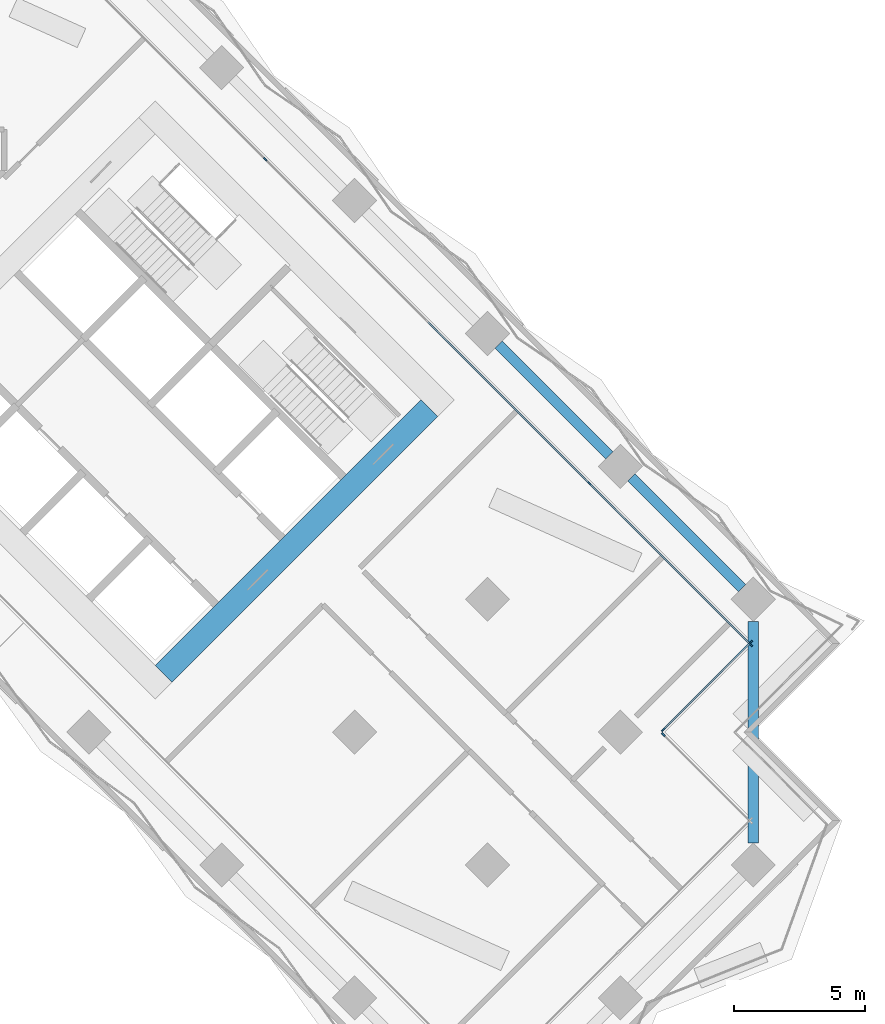
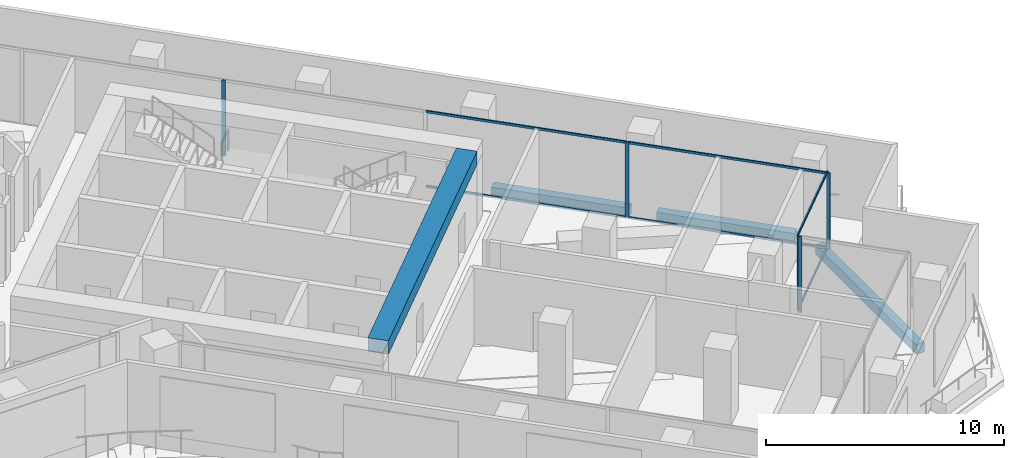
# One storey, part 10 of 24: 12 members, 4 beams, 3 elements without a shape of their own.
"""IFC4 building model written with IfcOpenShell, lengths in metres."""

from ifc_helpers import new_model, si_unit, direction, frame, origin, origin_2d, place, context, subcontext, project, spatial, rectangle, extrude, material, material_profile, profile_set, type_object, element, aggregate, save


model = new_model("IFC4")

# Units and contexts
model_context = context("Model", 3, precision=1e-05, world=origin(), true_north=direction((0.0, 1.0)))
body_context = subcontext(model_context, "Body", "Model", "MODEL_VIEW")
ifc_project = project(units=[si_unit("LENGTHUNIT", "METRE"), si_unit("AREAUNIT", "SQUARE_METRE"), si_unit("VOLUMEUNIT", "CUBIC_METRE"), si_unit("PLANEANGLEUNIT", "RADIAN"), si_unit("MASSUNIT", "GRAM", prefix="KILO")], contexts=[model_context])

# Site, building, storey
site_placement = place(None, origin())
site = spatial("IfcSite", under=ifc_project, at=site_placement, CompositionType="ELEMENT")
building_placement = place(site_placement, origin())
building = spatial("IfcBuilding", under=site, at=building_placement, Name="Windrow Commons", CompositionType="ELEMENT")
storey_placement = place(building_placement, frame((0.0, 0.0, 67.8)))
storey = spatial("IfcBuildingStorey", under=building, at=storey_placement, Name="L18", CompositionType="ELEMENT", Elevation=67.8)

# Curtain wall, member
ifc_material_1 = material(Name="Clear laminated glass in Aluminium 6063-T6 anodised frame", Category="aluminium")
curtain_wall_type = type_object("IfcCurtainWallType", Name="Curtain wall CW2 sky lounge", PredefinedType="USERDEFINED", material=ifc_material_1)
placement = place(storey_placement, origin())
curtain_wall_1 = element("IfcCurtainWall", 1, at=placement, inside=storey, type_object=curtain_wall_type, Name="Curtain wall CW2 L18 1", ObjectType="UNITISED", PredefinedType="USERDEFINED")
ifc_material_2 = material(Name="Aluminium 6063-T6", Category="aluminium")
ifc_material_profile_1 = material_profile(ifc_material_2, rectangle(XDim=0.06, YDim=0.16, at=origin_2d()))
ifc_profile_set_1 = profile_set([ifc_material_profile_1], Name="Aluminium 6063-T6")
member_type_1 = type_object("IfcMemberType", Name="CW2 mullion 60x160", PredefinedType="MULLION", material=ifc_profile_set_1)
member_1_placement = place(storey_placement, frame((106.3034, 36.2699, 0.0), z_axis=(0.0, 0.0, 1.0), x_axis=(-0.7071067812, -0.7071067812, 0.0)))
member_1 = element("IfcMember", 2, at=member_1_placement, type_object=member_type_1, Name="CW2 mullion 2", PredefinedType="MULLION", context=body_context, shape_type="SweptSolid", body=[
    extrude(rectangle(XDim=0.06, YDim=0.16, at=origin_2d()), origin(), (0.0, 0.0, 1.0), 3.9),
])
aggregate(curtain_wall_1, [member_1])

# Curtain wall, members
curtain_wall_2 = element("IfcCurtainWall", 3, at=placement, inside=storey, type_object=curtain_wall_type, Name="Curtain wall CW2 L18 2", ObjectType="UNITISED", PredefinedType="USERDEFINED")
member_2_placement = place(storey_placement, frame((106.3034, 36.4537, 0.0), z_axis=(0.0, 0.0, 1.0), x_axis=(-0.7071067812, 0.7071067812, 0.0)))
member_2 = element("IfcMember", 4, at=member_2_placement, type_object=member_type_1, Name="CW2 mullion 1", PredefinedType="MULLION", context=body_context, shape_type="SweptSolid", body=[
    extrude(rectangle(XDim=0.06, YDim=0.16, at=origin_2d()), origin(), (0.0, 0.0, 1.0), 3.9),
])
member_3_placement = place(storey_placement, frame((109.6551, 39.8054, 0.0), z_axis=(0.0, 0.0, 1.0), x_axis=(-0.7071067812, 0.7071067812, 0.0)))
member_3 = element("IfcMember", 5, at=member_3_placement, type_object=member_type_1, Name="CW2 mullion 2", PredefinedType="MULLION", context=body_context, shape_type="SweptSolid", body=[
    extrude(rectangle(XDim=0.06, YDim=0.16, at=origin_2d()), origin(), (0.0, 0.0, 1.0), 3.9),
])

curtain_wall_3 = element("IfcCurtainWall", 6, at=placement, inside=storey, type_object=curtain_wall_type, Name="Curtain wall CW2 L18 3", ObjectType="UNITISED", PredefinedType="USERDEFINED")
member_4_placement = place(storey_placement, frame((109.6551, 39.7064, 0.0), z_axis=(0.0, 0.0, 1.0), x_axis=(-0.7071067812, -0.7071067812, 0.0)))
member_4 = element("IfcMember", 7, at=member_4_placement, type_object=member_type_1, Name="CW2 mullion 1", PredefinedType="MULLION", context=body_context, shape_type="SweptSolid", body=[
    extrude(rectangle(XDim=0.06, YDim=0.16, at=origin_2d()), origin(), (0.0, 0.0, 1.0), 3.9),
])
member_5_placement = place(storey_placement, frame((103.4675, 45.894, 0.0), z_axis=(0.0, 0.0, 1.0), x_axis=(-0.7071067812, -0.7071067812, 0.0)))
member_5 = element("IfcMember", 8, at=member_5_placement, type_object=member_type_1, Name="CW2 mullion 2", PredefinedType="MULLION", context=body_context, shape_type="SweptSolid", body=[
    extrude(rectangle(XDim=0.06, YDim=0.16, at=origin_2d()), origin(), (0.0, 0.0, 1.0), 3.9),
])
member_6_placement = place(storey_placement, frame((91.0498, 58.3116, 0.0), z_axis=(0.0, 0.0, 1.0), x_axis=(-0.7071067812, -0.7071067812, 0.0)))
member_6 = element("IfcMember", 9, at=member_6_placement, type_object=member_type_1, Name="CW2 mullion 4", PredefinedType="MULLION", context=body_context, shape_type="SweptSolid", body=[
    extrude(rectangle(XDim=0.06, YDim=0.16, at=origin_2d()), origin(), (0.0, 0.0, 1.0), 3.9),
])

# Member
ifc_material_3 = material(Name="Aluminium 6063-T6", Category="aluminium")
ifc_material_profile_2 = material_profile(ifc_material_3, rectangle(XDim=0.06, YDim=0.12, at=origin_2d()))
ifc_profile_set_2 = profile_set([ifc_material_profile_2], Name="Aluminium 6063-T6")
member_type_2 = type_object("IfcMemberType", Name="CW2 transom 60x120", PredefinedType="USERDEFINED", material=ifc_profile_set_2)
member_7_placement = place(storey_placement, frame((106.3246, 36.4749, 0.03), z_axis=(0.7071067812, 0.7071067812, 0.0), x_axis=(-0.7071067812, 0.7071067812, 0.0)))
member_7 = element("IfcMember", 10, at=member_7_placement, type_object=member_type_2, Name="CW2 transom 1.1", ObjectType="TRANSOM", PredefinedType="USERDEFINED", context=body_context, shape_type="SweptSolid", body=[
    extrude(rectangle(XDim=0.06, YDim=0.12, at=origin_2d()), origin(), (0.0, 0.0, 1.0), 4.6801),
])

member_8_placement = place(storey_placement, frame((106.3246, 36.4749, 3.87), z_axis=(0.7071067812, 0.7071067812, 0.0), x_axis=(-0.7071067812, 0.7071067812, 0.0)))
member_8 = element("IfcMember", 11, at=member_8_placement, type_object=member_type_2, Name="CW2 transom 1.2", ObjectType="TRANSOM", PredefinedType="USERDEFINED", context=body_context, shape_type="SweptSolid", body=[
    extrude(rectangle(XDim=0.06, YDim=0.12, at=origin_2d()), origin(), (0.0, 0.0, 1.0), 4.6801),
])

aggregate(curtain_wall_2, [member_2, member_3, member_7, member_8])

member_9_placement = place(storey_placement, frame((109.6339, 39.7276, 0.03), z_axis=(-0.7071067812, 0.7071067812, 0.0), x_axis=(-0.7071067812, -0.7071067812, 0.0)))
member_9 = element("IfcMember", 12, at=member_9_placement, type_object=member_type_2, Name="CW2 transom 1.1", ObjectType="TRANSOM", PredefinedType="USERDEFINED", context=body_context, shape_type="SweptSolid", body=[
    extrude(rectangle(XDim=0.06, YDim=0.12, at=origin_2d()), origin(), (0.0, 0.0, 1.0), 8.6906),
])

member_10_placement = place(storey_placement, frame((109.6339, 39.7276, 3.87), z_axis=(-0.7071067812, 0.7071067812, 0.0), x_axis=(-0.7071067812, -0.7071067812, 0.0)))
member_10 = element("IfcMember", 13, at=member_10_placement, type_object=member_type_2, Name="CW2 transom 1.2", ObjectType="TRANSOM", PredefinedType="USERDEFINED", context=body_context, shape_type="SweptSolid", body=[
    extrude(rectangle(XDim=0.06, YDim=0.12, at=origin_2d()), origin(), (0.0, 0.0, 1.0), 8.6906),
])

member_11_placement = place(storey_placement, frame((103.4463, 45.9152, 0.03), z_axis=(-0.7071067812, 0.7071067812, 0.0), x_axis=(-0.7071067812, -0.7071067812, 0.0)))
member_11 = element("IfcMember", 14, at=member_11_placement, type_object=member_type_2, Name="CW2 transom 2.1", ObjectType="TRANSOM", PredefinedType="USERDEFINED", context=body_context, shape_type="SweptSolid", body=[
    extrude(rectangle(XDim=0.06, YDim=0.12, at=origin_2d()), origin(), (0.0, 0.0, 1.0), 8.7206),
])

member_12_placement = place(storey_placement, frame((103.4463, 45.9152, 3.87), z_axis=(-0.7071067812, 0.7071067812, 0.0), x_axis=(-0.7071067812, -0.7071067812, 0.0)))
member_12 = element("IfcMember", 15, at=member_12_placement, type_object=member_type_2, Name="CW2 transom 2.2", ObjectType="TRANSOM", PredefinedType="USERDEFINED", context=body_context, shape_type="SweptSolid", body=[
    extrude(rectangle(XDim=0.06, YDim=0.12, at=origin_2d()), origin(), (0.0, 0.0, 1.0), 8.7206),
])

aggregate(curtain_wall_3, [member_4, member_5, member_6, member_9, member_10, member_11, member_12])

# Beams
ifc_material_4 = material(Name="Concrete C60/75", Category="concrete")
ifc_material_profile_3 = material_profile(ifc_material_4, rectangle(XDim=0.9, YDim=0.7, at=origin_2d()))
ifc_profile_set_3 = profile_set([ifc_material_profile_3], Name="Concrete C60/75")
beam_type_1 = type_object("IfcBeamType", Name="RC COUPLING BEAM 900x700 C60/75", PredefinedType="LINTEL", material=ifc_profile_set_3)
beam_1_placement = place(storey_placement, frame((87.155, 38.5892, 3.55), z_axis=(0.7071067812, 0.7071067812, 0.0), x_axis=(-0.7071067812, 0.7071067812, 0.0)))
element("IfcBeam", 16, at=beam_1_placement, inside=storey, type_object=beam_type_1, Name="Core B coupling beam outer-E", PredefinedType="LINTEL", context=body_context, shape_type="SweptSolid", body=[
    extrude(rectangle(XDim=0.9, YDim=0.7, at=origin_2d()), origin(), (0.0, 0.0, 1.0), 14.3999),
])
ifc_material_5 = material(Name="Concrete C60/75", Category="concrete")
ifc_material_profile_4 = material_profile(ifc_material_5, rectangle(XDim=0.4, YDim=0.5, at=origin_2d()))
ifc_profile_set_4 = profile_set([ifc_material_profile_4], Name="Concrete C60/75")
beam_type_2 = type_object("IfcBeamType", Name="RC EDGE BEAM 400x500 C60/75", PredefinedType="SPANDREL", material=ifc_profile_set_4)
beam_2_placement = place(storey_placement, frame((99.989, 51.211, -0.55), z_axis=(0.7071067812, -0.7071067812, 0.0), x_axis=(0.7071067812, 0.7071067812, 0.0)))
element("IfcBeam", 17, at=beam_2_placement, inside=storey, type_object=beam_type_2, Name="Edge beam L18 017", PredefinedType="SPANDREL", context=body_context, shape_type="SweptSolid", body=[
    extrude(rectangle(XDim=0.4, YDim=0.5, at=origin_2d()), origin(), (0.0, 0.0, 1.0), 5.9998),
])
beam_3_placement = place(storey_placement, frame((105.0801, 46.1199, -0.55), z_axis=(0.7071067812, -0.7071067812, 0.0), x_axis=(0.7071067812, 0.7071067812, 0.0)))
element("IfcBeam", 18, at=beam_3_placement, inside=storey, type_object=beam_type_2, Name="Edge beam L18 018", PredefinedType="SPANDREL", context=body_context, shape_type="SweptSolid", body=[
    extrude(rectangle(XDim=0.4, YDim=0.5, at=origin_2d()), origin(), (0.0, 0.0, 1.0), 5.9999),
])
beam_4_placement = place(storey_placement, frame((109.747, 40.6045, -0.55), z_axis=(0.0, -1.0, 0.0), x_axis=(1.0, 0.0, 0.0)))
element("IfcBeam", 19, at=beam_4_placement, inside=storey, type_object=beam_type_2, Name="Edge beam L18 019", PredefinedType="SPANDREL", context=body_context, shape_type="SweptSolid", body=[
    extrude(rectangle(XDim=0.4, YDim=0.5, at=origin_2d()), origin(), (0.0, 0.0, 1.0), 8.4854),
])

save(model, "model.ifc")
